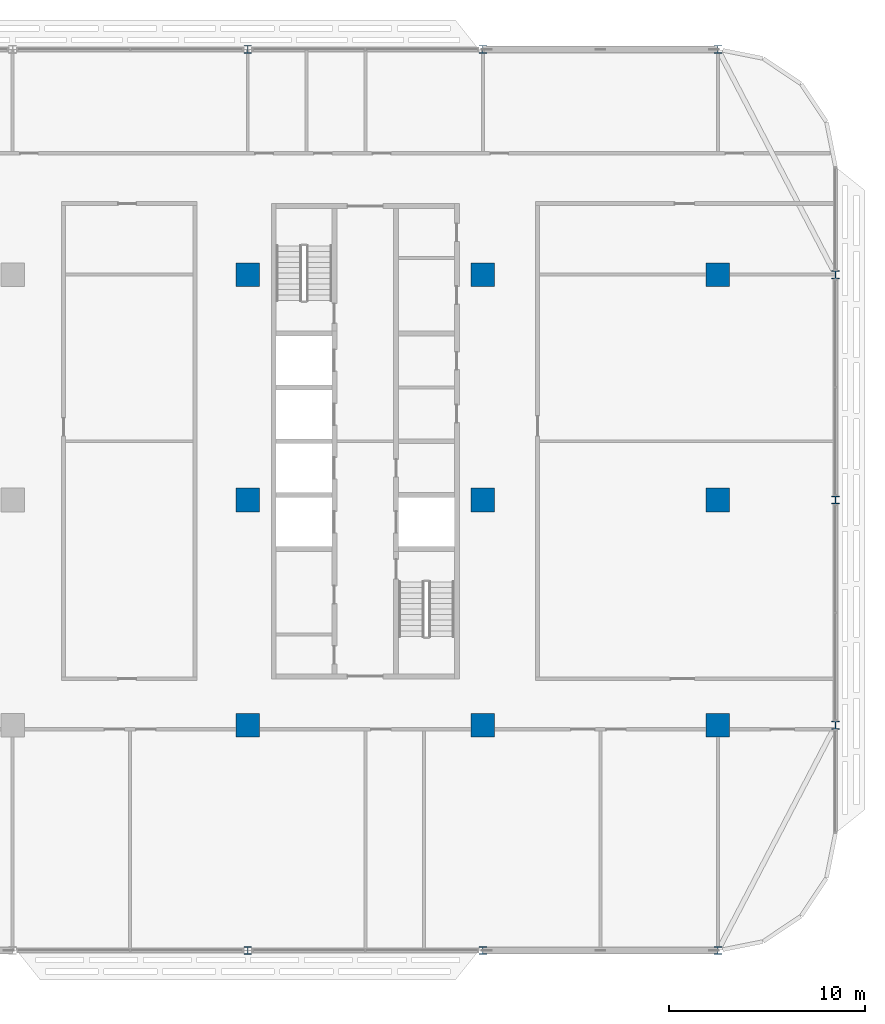
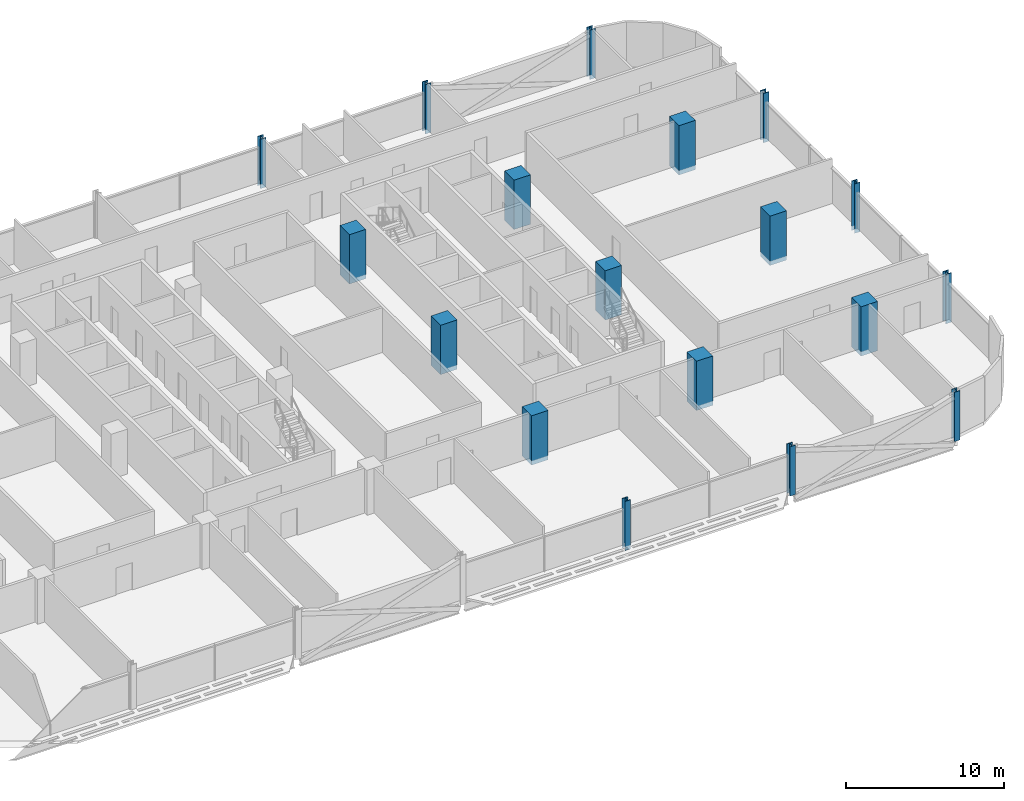
# One storey, part 2 of 27: 18 columns.
"""IFC4 building model written with IfcOpenShell, lengths in metres."""

import ifcopenshell
import ifcopenshell.guid

model = None  # the IFC model being written
_history = None  # IfcOwnerHistory: only IFC2X3 demands one
_inside = {}  # id of a spatial element -> (the spatial element, [elements in it])
_under = {}  # id of a project, library or spatial element -> (it, [spatial elements below it])
_declared = {}  # id of a project -> (the project, [libraries it declares])
_typed = {}  # id of a type object -> (the type object, [elements of that type])
_made_of = {}  # id of a material, layer set ... -> (it, [elements and type objects made of it])


def new_model(schema):
    """Start an empty IFC model of exactly this schema.

    Asked for "IFC4X3", IfcOpenShell would pick the latest addendum, in which some entities
    have other attributes; the version numbers below select the first issue.
    IFC2X3 requires an IfcOwnerHistory on every rooted entity: one is made here for all.
    """
    global model, _history
    if schema == "IFC4X3":
        model = ifcopenshell.file(schema_version=(4, 3, 0, 0))
    else:
        model = ifcopenshell.file(schema=schema)
    _inside.clear()
    _under.clear()
    _declared.clear()
    _typed.clear()
    _made_of.clear()
    _history = None
    if model.schema == "IFC2X3":
        org = make("IfcOrganization", Name="unknown")
        user = make(
            "IfcPersonAndOrganization",
            ThePerson=make("IfcPerson", FamilyName="unknown"),
            TheOrganization=org,
        )
        app = make(
            "IfcApplication",
            ApplicationDeveloper=org,
            Version="unknown",
            ApplicationFullName="unknown",
            ApplicationIdentifier="unknown",
        )
        _history = make(
            "IfcOwnerHistory",
            OwningUser=user,
            OwningApplication=app,
            ChangeAction="ADDED",
            CreationDate=0,
        )
    return model


def make(cls, **values):
    """One entity of the class cls with the attributes given. An attribute that is None is left unset."""
    return model.create_entity(
        cls, **{name: value for name, value in values.items() if value is not None}
    )


def rooted(cls, **values):
    """An entity with a GlobalId (a new one), such as an element, a storey or a relation."""
    return make(cls, GlobalId=ifcopenshell.guid.new(), OwnerHistory=_history, **values)


def si_unit(unit_type, name, prefix=None):
    """IfcSIUnit, for example si_unit("LENGTHUNIT", "METRE", prefix="MILLI")."""
    return make("IfcSIUnit", UnitType=unit_type, Prefix=prefix, Name=name)


def assignment(units):
    """IfcUnitAssignment: the units of a project."""
    return None if units is None else make("IfcUnitAssignment", Units=units)


def point(xyz):
    """IfcCartesianPoint."""
    return None if xyz is None else make("IfcCartesianPoint", Coordinates=xyz)


def direction(xyz):
    """IfcDirection."""
    return None if xyz is None else make("IfcDirection", DirectionRatios=xyz)


def frame(location, z_axis=None, x_axis=None):
    """IfcAxis2Placement3D, a coordinate frame: its origin and axes. An axis left out is left unset."""
    return make(
        "IfcAxis2Placement3D",
        Location=point(location),
        Axis=direction(z_axis),
        RefDirection=direction(x_axis),
    )


def frame_2d(location, x_axis=None):
    """IfcAxis2Placement2D, a coordinate frame in the plane: its origin and x axis."""
    return make(
        "IfcAxis2Placement2D", Location=point(location), RefDirection=direction(x_axis)
    )


def origin():
    """The frame at (0, 0, 0) with its axes left unset."""
    return frame((0.0, 0.0, 0.0))


def origin_2d():
    """The frame at (0, 0) in the plane with its x axis left unset."""
    return frame_2d((0.0, 0.0))


def place(relative_to, where):
    """IfcLocalPlacement: puts the frame where relative to a parent placement (None: the world)."""
    return make(
        "IfcLocalPlacement", PlacementRelTo=relative_to, RelativePlacement=where
    )


def context(
    kind, dimensions, precision=None, world=None, true_north=None, identifier=None
):
    """IfcGeometricRepresentationContext, for example the 3D "Model" context."""
    return make(
        "IfcGeometricRepresentationContext",
        ContextIdentifier=identifier,
        ContextType=kind,
        CoordinateSpaceDimension=dimensions,
        Precision=precision,
        WorldCoordinateSystem=world,
        TrueNorth=true_north,
    )


def subcontext(parent, identifier, kind, view, scale=None):
    """IfcGeometricRepresentationSubContext, for example "Body" below "Model"."""
    return make(
        "IfcGeometricRepresentationSubContext",
        ContextIdentifier=identifier,
        ContextType=kind,
        ParentContext=parent,
        TargetScale=scale,
        TargetView=view,
    )


def project(units=None, contexts=None):
    """IfcProject with its units and contexts."""
    return rooted(
        "IfcProject",
        Name="project",
        RepresentationContexts=contexts,
        UnitsInContext=assignment(units),
    )


def spatial(cls, under=None, at=None, **own):
    """A site, building, storey or space (cls), placed at a placement, below another one or the project."""
    s = rooted(cls, ObjectPlacement=at, **own)
    if under is not None:
        _under.setdefault(under.id(), (under, []))[1].append(s)
    return s


def profile(cls, at=None, kind="AREA", **sizes):
    """A parametric profile (cls). Its sizes go by their IFC names, for example OverallWidth=200.0."""
    return make(cls, ProfileType=kind, Position=at, **sizes)


def rectangle(**sizes):
    """IfcRectangleProfileDef."""
    return profile("IfcRectangleProfileDef", **sizes)


def i_section(**sizes):
    """IfcIShapeProfileDef."""
    return profile("IfcIShapeProfileDef", **sizes)


def extrude(swept, where, along, depth):
    """IfcExtrudedAreaSolid: the profile swept, set in the frame where, extruded along a direction by depth."""
    return make(
        "IfcExtrudedAreaSolid",
        SweptArea=swept,
        Position=where,
        ExtrudedDirection=direction(along),
        Depth=depth,
    )


def shape(context_of_items, identifier, shape_type, items):
    """IfcShapeRepresentation: the items that make up one representation, for example the "Body"."""
    return make(
        "IfcShapeRepresentation",
        ContextOfItems=context_of_items,
        RepresentationIdentifier=identifier,
        RepresentationType=shape_type,
        Items=items,
    )


def material(Name=None, Category=None):
    """IfcMaterial."""
    return make("IfcMaterial", Name=Name, Category=Category)


def material_profile(
    of_material, cross_section, Name=None, Category=None, Priority=None
):
    """IfcMaterialProfile: a cross section and its material."""
    return make(
        "IfcMaterialProfile",
        Name=Name,
        Material=of_material,
        Profile=cross_section,
        Priority=Priority,
        Category=Category,
    )


def profile_set(profiles, Name=None, composite=None):
    """IfcMaterialProfileSet."""
    return make(
        "IfcMaterialProfileSet",
        Name=Name,
        MaterialProfiles=profiles,
        CompositeProfile=composite,
    )


def made_of(thing, what):
    """Note that an element or type object is made of a material, layer set ...; save() writes the relation."""
    if what is not None:
        _made_of.setdefault(what.id(), (what, []))[1].append(thing)
    return thing


def type_object(cls, material=None, **own):
    """A type object (cls), such as IfcWallType, which elements share."""
    return made_of(rooted(cls, **own), material)


def element(
    cls,
    number,
    at=None,
    inside=None,
    cuts=None,
    type_object=None,
    material=None,
    context=None,
    identifier="Body",
    shape_type=None,
    held_by="IfcProductDefinitionShape",
    body=None,
    shapes=None,
    **own,
):
    """One element of the class cls, such as IfcWall. Its Tag is "e" and its number.

    at: its placement. inside: the storey or other place that contains it. cuts: it is an
    opening in that element (IfcRelVoidsElement). A single representation is given by context,
    identifier, shape_type and body (its items); several are given by shapes. held_by: the class
    of the entity that holds the representations. save() writes the other relations.
    """
    e = rooted(cls, Tag="e%d" % number, ObjectPlacement=at, **own)
    if body is not None:
        shapes = [shape(context, identifier, shape_type, body)]
    if shapes is not None:
        e.Representation = make(held_by, Representations=shapes)
    if inside is not None:
        _inside.setdefault(inside.id(), (inside, []))[1].append(e)
    if cuts is not None:
        rooted(
            "IfcRelVoidsElement", RelatingBuildingElement=cuts, RelatedOpeningElement=e
        )
    if type_object is not None:
        _typed.setdefault(type_object.id(), (type_object, []))[1].append(e)
    return made_of(e, material)


def aggregate(whole, parts):
    """IfcRelAggregates: a whole, such as a stair, and the parts it consists of."""
    return rooted("IfcRelAggregates", RelatingObject=whole, RelatedObjects=parts)


def save(model, path):
    """Write the relations noted so far, then the file.

    IfcRelAggregates (storeys below a building ...), IfcRelContainedInSpatialStructure (elements
    in a storey), IfcRelDefinesByType, IfcRelAssociatesMaterial and IfcRelDeclares: one each for
    every whole, place, type object, material and project.
    """
    for whole, parts in _under.values():
        aggregate(whole, parts)
    for where, things in _inside.values():
        rooted(
            "IfcRelContainedInSpatialStructure",
            RelatedElements=things,
            RelatingStructure=where,
        )
    for kind, things in _typed.values():
        rooted("IfcRelDefinesByType", RelatedObjects=things, RelatingType=kind)
    for what, things in _made_of.values():
        rooted("IfcRelAssociatesMaterial", RelatedObjects=things, RelatingMaterial=what)
    for by, libraries in _declared.values():
        rooted("IfcRelDeclares", RelatingContext=by, RelatedDefinitions=libraries)
    model.write(path)


model = new_model("IFC4")

# Units and contexts
model_context = context("Model", 3, precision=1e-05, world=origin(), true_north=direction((0.0, 1.0)))
body_context = subcontext(model_context, "Body", "Model", "MODEL_VIEW")
ifc_project = project(units=[si_unit("LENGTHUNIT", "METRE"), si_unit("AREAUNIT", "SQUARE_METRE"), si_unit("VOLUMEUNIT", "CUBIC_METRE"), si_unit("PLANEANGLEUNIT", "RADIAN"), si_unit("MASSUNIT", "GRAM", prefix="KILO")], contexts=[model_context])

# Site, building, storey
site_placement = place(None, origin())
site = spatial("IfcSite", under=ifc_project, at=site_placement, CompositionType="ELEMENT")
building_placement = place(site_placement, origin())
building = spatial("IfcBuilding", under=site, at=building_placement, Name="Mahtab Terrace Research Tower", CompositionType="ELEMENT")
storey_placement = place(building_placement, frame((0.0, 0.0, 170.60009765625)))
storey = spatial("IfcBuildingStorey", under=building, at=storey_placement, Name="L40", CompositionType="ELEMENT", Elevation=170.60009765625)

# Columns
ifc_material_1 = material(Name="Concrete C70/85", Category="concrete")
ifc_material_profile_1 = material_profile(ifc_material_1, rectangle(XDim=1.199951171875, YDim=1.199951171875, at=origin_2d()), Name="RC column 1200x1200")
ifc_profile_set_1 = profile_set([ifc_material_profile_1], Name="Concrete C70/85")
column_type_1 = type_object("IfcColumnType", Name="RC column 1200x1200", PredefinedType="COLUMN", material=ifc_profile_set_1)
for number, where, z_axis, x_axis, name in (
    (1, (18.0, -11.5, -0.340087890625), (0.0, 0.0, 1.0), (1.0, 0.0, 0.0), "Column RC-6A L40"),
    (2, (18.0, 0.0, -0.340087890625), (0.0, 0.0, 1.0), (1.0, 0.0, 0.0), "Column RC-6B L40"),
    (3, (18.0, 11.5, -0.340087890625), (0.0, 0.0, 1.0), (1.0, 0.0, 0.0), "Column RC-6C L40"),
    (4, (30.0, -11.5, -0.340087890625), (0.0, 0.0, 1.0), (1.0, 0.0, 0.0), "Column RC-7A L40"),
    (5, (30.0, 0.0, -0.340087890625), (0.0, 0.0, 1.0), (1.0, 0.0, 0.0), "Column RC-7B L40"),
    (6, (30.0, 11.5, -0.340087890625), (0.0, 0.0, 1.0), (1.0, 0.0, 0.0), "Column RC-7C L40"),
    (7, (42.0, -11.5, -0.340087890625), (0.0, 0.0, 1.0), (1.0, 0.0, 0.0), "Column RC-8A L40"),
    (8, (42.0, 0.0, -0.340087890625), (0.0, 0.0, 1.0), (1.0, 0.0, 0.0), "Column RC-8B L40"),
    (9, (42.0, 11.5, -0.340087890625), (0.0, 0.0, 1.0), (1.0, 0.0, 0.0), "Column RC-8C L40"),
):
    element("IfcColumn", number, at=place(storey_placement, frame(where, z_axis=z_axis, x_axis=x_axis)), inside=storey, type_object=column_type_1, Name=name, PredefinedType="COLUMN", context=body_context, shape_type="SweptSolid", body=[
        extrude(rectangle(XDim=1.199951171875, YDim=1.199951171875, at=origin_2d()), origin(), (0.0, 0.0, 1.0), 3.800048828125),
    ])
ifc_material_2 = material(Name="Steel ASTM A992 Gr 50", Category="steel")
ifc_material_profile_2 = material_profile(ifc_material_2, i_section(OverallWidth=0.406494140625, OverallDepth=0.41650390625, WebThickness=0.030029296875, FlangeThickness=0.048095703125, at=origin_2d()), Name="W14X257")
ifc_profile_set_2 = profile_set([ifc_material_profile_2], Name="Steel ASTM A992 Gr 50")
column_type_2 = type_object("IfcColumnType", Name="W14x257 column CS14257", PredefinedType="COLUMN", material=ifc_profile_set_2)
for number, where, z_axis, x_axis, name in (
    (10, (42.0, 23.0, -0.340087890625), (0.0, 0.0, 1.0), (1.0, 0.0, 0.0), "Column SC-001 L40"),
    (11, (30.0, 23.0, -0.340087890625), (0.0, 0.0, 1.0), (1.0, 0.0, 0.0), "Column SC-002 L40"),
    (12, (18.0, 23.0, -0.340087890625), (0.0, 0.0, 1.0), (1.0, 0.0, 0.0), "Column SC-003 L40"),
    (13, (18.0, -23.0, -0.340087890625), (0.0, 0.0, 1.0), (1.0, 0.0, 0.0), "Column SC-017 L40"),
    (14, (30.0, -23.0, -0.340087890625), (0.0, 0.0, 1.0), (1.0, 0.0, 0.0), "Column SC-018 L40"),
    (15, (42.0, -23.0, -0.340087890625), (0.0, 0.0, 1.0), (1.0, 0.0, 0.0), "Column SC-019 L40"),
    (16, (48.0, -11.5, -0.340087890625), (0.0, 0.0, 1.0), (1.0, 0.0, 0.0), "Column SC-020 L40"),
    (17, (48.0, 0.0, -0.340087890625), (0.0, 0.0, 1.0), (1.0, 0.0, 0.0), "Column SC-021 L40"),
    (18, (48.0, 11.5, -0.340087890625), (0.0, 0.0, 1.0), (1.0, 0.0, 0.0), "Column SC-022 L40"),
):
    element("IfcColumn", number, at=place(storey_placement, frame(where, z_axis=z_axis, x_axis=x_axis)), inside=storey, type_object=column_type_2, Name=name, PredefinedType="COLUMN", context=body_context, shape_type="SweptSolid", body=[
        extrude(i_section(OverallWidth=0.406494140625, OverallDepth=0.41650390625, WebThickness=0.030029296875, FlangeThickness=0.048095703125, at=origin_2d()), origin(), (0.0, 0.0, 1.0), 3.800048828125),
    ])

save(model, "model.ifc")
